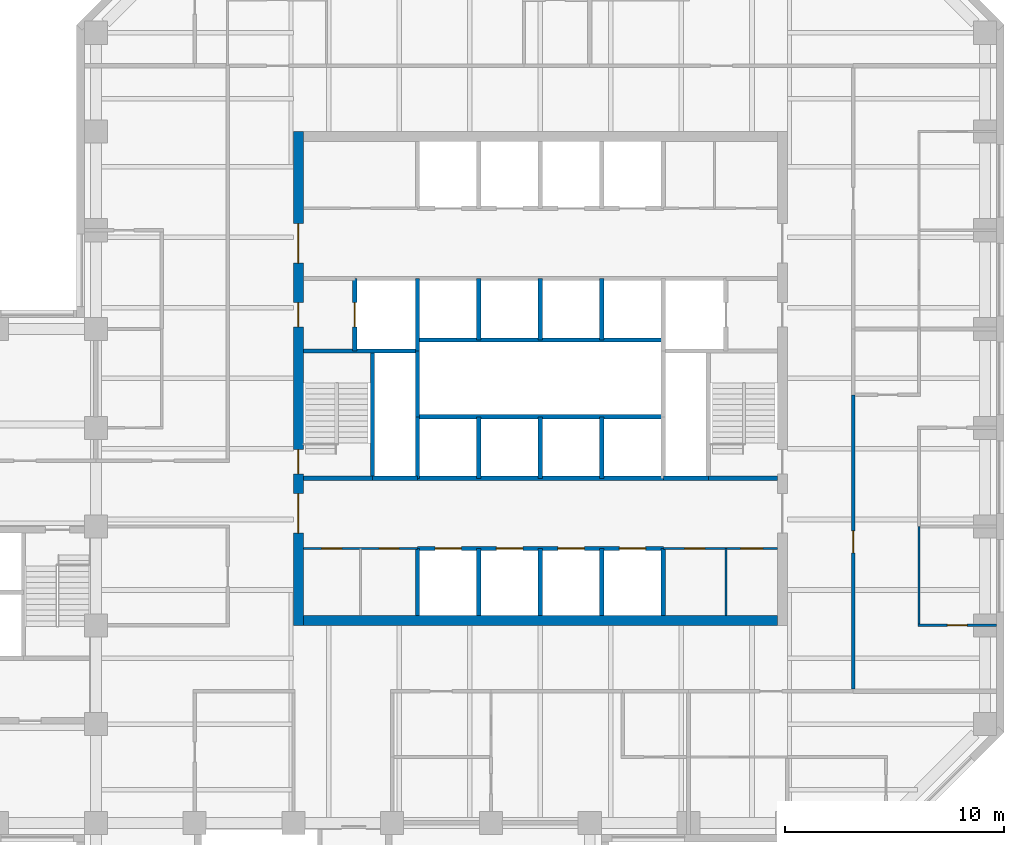
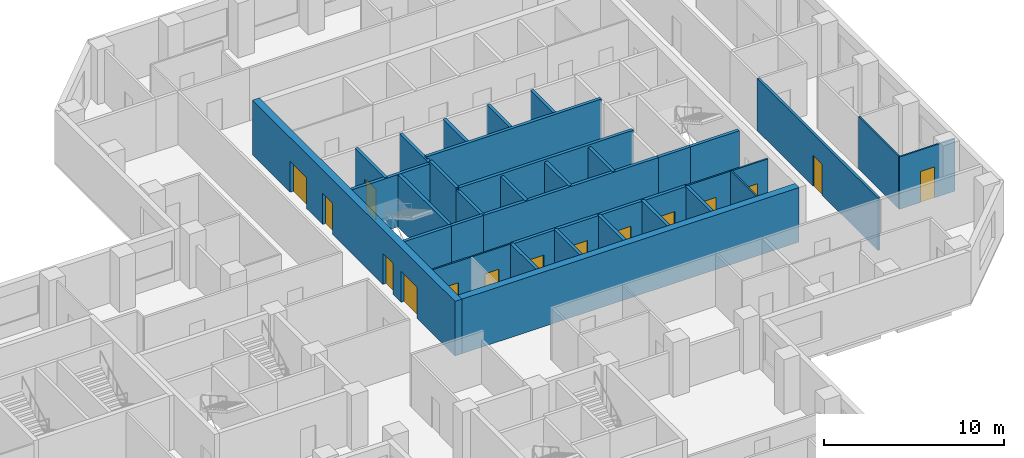
# One storey, part 7 of 11: 33 walls, 15 doors, 15 openings.
"""IFC4 building model written with IfcOpenShell, lengths in metres."""

from ifc_helpers import new_model, si_unit, direction, frame, frame_2d, origin, place, context, subcontext, project, spatial, rectangle, extrude, material, layer, layer_set, type_object, element, fill, save


model = new_model("IFC4")

# Units and contexts
model_context = context("Model", 3, precision=1e-05, world=origin(), true_north=direction((0.0, 1.0)))
body_context = subcontext(model_context, "Body", "Model", "MODEL_VIEW")
ifc_project = project(units=[si_unit("LENGTHUNIT", "METRE"), si_unit("AREAUNIT", "SQUARE_METRE"), si_unit("VOLUMEUNIT", "CUBIC_METRE"), si_unit("PLANEANGLEUNIT", "RADIAN"), si_unit("MASSUNIT", "GRAM", prefix="KILO")], contexts=[model_context])

# Site, building, storey
site_placement = place(None, origin())
site = spatial("IfcSite", under=ifc_project, at=site_placement, CompositionType="ELEMENT")
building_placement = place(site_placement, origin())
building = spatial("IfcBuilding", under=site, at=building_placement, Name="Quoin Convention Tower", CompositionType="ELEMENT")
storey_placement = place(building_placement, frame((0.0, 0.0, 134.39990234375)))
storey = spatial("IfcBuildingStorey", under=building, at=storey_placement, Name="L35", CompositionType="ELEMENT", Elevation=134.39990234375)

# Wall, openings, doors
ifc_material_1 = material(Name="Plasterboard")
ifc_layer_1 = layer(ifc_material_1, 0.012451171875, Name="Finish")
ifc_material_2 = material(Name="Steel stud framing", Category="steel")
ifc_layer_2 = layer(ifc_material_2, 0.074951171875, Name="Structure")
ifc_layer_3 = layer(ifc_material_1, 0.012451171875, Name="Finish")
ifc_layer_set_1 = layer_set([ifc_layer_1, ifc_layer_2, ifc_layer_3], Name="Steel stud framing")
wall_type_1 = type_object("IfcWallType", Name="Core partition wall", PredefinedType="PARTITIONING", material=ifc_layer_set_1)
wall_1_placement = place(storey_placement, frame((45.449951171875, 53.0, 0.0), z_axis=(0.0, 0.0, 1.0), x_axis=(1.0, 0.0, 0.0)))
wall_1 = element("IfcWall", 1, at=wall_1_placement, inside=storey, type_object=wall_type_1, Name="cr-C1-L35-h3500_450", PredefinedType="PARTITIONING", context=body_context, shape_type="SweptSolid", body=[
    extrude(rectangle(XDim=5.199951171875, YDim=0.10009765625, at=frame_2d((2.60009765625, 0.0))), origin(), (0.0, 0.0, 1.0), 3.550048828125),
])
opening_1_placement = place(wall_1_placement, frame((0.85009765625, 0.0, 0.0)))
opening_1 = element("IfcOpeningElement", 2, at=opening_1_placement, cuts=wall_1, Name="Opening DCV0-47", PredefinedType="OPENING", context=body_context, shape_type="SweptSolid", body=[
    extrude(rectangle(XDim=0.89990234375, YDim=2.10009765625, at=frame_2d((0.449951171875, 1.050048828125))), frame((0.0, 0.06005859375, 0.0), z_axis=(0.0, -1.0, 0.0), x_axis=(1.0, 0.0, 0.0)), (0.0, 0.0, 1.0), 0.1201171875),
])
opening_2_placement = place(wall_1_placement, frame((3.449951171875, 0.0, 0.0)))
opening_2 = element("IfcOpeningElement", 3, at=opening_2_placement, cuts=wall_1, Name="Opening DCV0-48", PredefinedType="OPENING", context=body_context, shape_type="SweptSolid", body=[
    extrude(rectangle(XDim=0.89990234375, YDim=2.10009765625, at=frame_2d((0.449951171875, 1.050048828125))), frame((0.0, 0.06005859375, 0.0), z_axis=(0.0, -1.0, 0.0), x_axis=(1.0, 0.0, 0.0)), (0.0, 0.0, 1.0), 0.1201171875),
])
ifc_material_3 = material(Name="Steel door leaf", Category="steel")
door_type_1 = type_object("IfcDoorType", Name="Core room door 900 x 2100", OperationType="SINGLE_SWING_LEFT", PredefinedType="DOOR", material=ifc_material_3)
door_1_placement = place(opening_1_placement, frame((0.89990234375, 0.0, 0.0), z_axis=(0.0, 0.0, 1.0), x_axis=(-1.0, 0.0, 0.0)))
door_1 = element("IfcDoor", 4, at=door_1_placement, inside=storey, type_object=door_type_1, Name="cd-C1-L35-CSW0-lobA-CD3512", OperationType="SINGLE_SWING_LEFT", OverallHeight=2.10009765625, OverallWidth=0.89990234375, PredefinedType="DOOR", context=body_context, shape_type="SweptSolid", body=[
    extrude(rectangle(XDim=0.89990234375, YDim=2.10009765625, at=frame_2d((0.449951171875, 1.050048828125))), frame((0.0, 0.02490234375, 0.0), z_axis=(0.0, -1.0, 0.0), x_axis=(1.0, 0.0, 0.0)), (0.0, 0.0, 1.0), 0.050048828125),
])
fill(opening_1, door_1)
door_2_placement = place(opening_2_placement, frame((0.89990234375, 0.0, 0.0), z_axis=(0.0, 0.0, 1.0), x_axis=(-1.0, 0.0, 0.0)))
door_2 = element("IfcDoor", 5, at=door_2_placement, inside=storey, type_object=door_type_1, Name="cd-C1-L35-CSW1-lobA-CD3513", OperationType="SINGLE_SWING_LEFT", OverallHeight=2.10009765625, OverallWidth=0.89990234375, PredefinedType="DOOR", context=body_context, shape_type="SweptSolid", body=[
    extrude(rectangle(XDim=0.89990234375, YDim=2.10009765625, at=frame_2d((0.449951171875, 1.050048828125))), frame((0.0, 0.02490234375, 0.0), z_axis=(0.0, -1.0, 0.0), x_axis=(1.0, 0.0, 0.0)), (0.0, 0.0, 1.0), 0.050048828125),
])
fill(opening_2, door_2)

wall_2_placement = place(storey_placement, frame((61.85009765625, 53.0, 0.0), z_axis=(0.0, 0.0, 1.0), x_axis=(1.0, 0.0, 0.0)))
wall_2 = element("IfcWall", 6, at=wall_2_placement, inside=storey, type_object=wall_type_1, Name="cr-C1-L35-h3500_16850", PredefinedType="PARTITIONING", context=body_context, shape_type="SweptSolid", body=[
    extrude(rectangle(XDim=5.199951171875, YDim=0.10009765625, at=frame_2d((2.60009765625, 0.0))), origin(), (0.0, 0.0, 1.0), 3.550048828125),
])
opening_3_placement = place(wall_2_placement, frame((3.530029296875, 0.0, 0.0)))
opening_3 = element("IfcOpeningElement", 7, at=opening_3_placement, cuts=wall_2, Name="Opening DCV0-31", PredefinedType="OPENING", context=body_context, shape_type="SweptSolid", body=[
    extrude(rectangle(XDim=1.0, YDim=2.10009765625, at=frame_2d((0.5, 1.050048828125))), frame((0.0, 0.06005859375, 0.0), z_axis=(0.0, -1.0, 0.0), x_axis=(1.0, 0.0, 0.0)), (0.0, 0.0, 1.0), 0.1201171875),
])
opening_4_placement = place(wall_2_placement, frame((0.97998046875, 0.0, 0.0)))
opening_4 = element("IfcOpeningElement", 8, at=opening_4_placement, cuts=wall_2, Name="Opening DCV0-28", PredefinedType="OPENING", context=body_context, shape_type="SweptSolid", body=[
    extrude(rectangle(XDim=0.89990234375, YDim=2.10009765625, at=frame_2d((0.449951171875, 1.050048828125))), frame((0.0, 0.06005859375, 0.0), z_axis=(0.0, -1.0, 0.0), x_axis=(1.0, 0.0, 0.0)), (0.0, 0.0, 1.0), 0.1201171875),
])
door_type_2 = type_object("IfcDoorType", Name="Core room door 1000 x 2100", OperationType="SINGLE_SWING_LEFT", PredefinedType="DOOR", material=ifc_material_3)
door_3_placement = place(opening_3_placement, frame((1.0, 0.0, 0.0), z_axis=(0.0, 0.0, 1.0), x_axis=(-1.0, 0.0, 0.0)))
door_3 = element("IfcDoor", 9, at=door_3_placement, inside=storey, type_object=door_type_2, Name="cd-C1-L35-CSE0-lobA-CD3510", OperationType="SINGLE_SWING_LEFT", OverallHeight=2.10009765625, OverallWidth=1.0, PredefinedType="DOOR", context=body_context, shape_type="SweptSolid", body=[
    extrude(rectangle(XDim=1.0, YDim=2.10009765625, at=frame_2d((0.5, 1.050048828125))), frame((0.0, 0.02490234375, 0.0), z_axis=(0.0, -1.0, 0.0), x_axis=(1.0, 0.0, 0.0)), (0.0, 0.0, 1.0), 0.050048828125),
])
fill(opening_3, door_3)
door_4_placement = place(opening_4_placement, frame((0.89990234375, 0.0, 0.0), z_axis=(0.0, 0.0, 1.0), x_axis=(-1.0, 0.0, 0.0)))
door_4 = element("IfcDoor", 10, at=door_4_placement, inside=storey, type_object=door_type_1, Name="cd-C1-L35-CSE1-lobA-CD3511", OperationType="SINGLE_SWING_LEFT", OverallHeight=2.10009765625, OverallWidth=0.89990234375, PredefinedType="DOOR", context=body_context, shape_type="SweptSolid", body=[
    extrude(rectangle(XDim=0.89990234375, YDim=2.10009765625, at=frame_2d((0.449951171875, 1.050048828125))), frame((0.0, 0.02490234375, 0.0), z_axis=(0.0, -1.0, 0.0), x_axis=(1.0, 0.0, 0.0)), (0.0, 0.0, 1.0), 0.050048828125),
])
fill(opening_4, door_4)

# Wall
wall_3_placement = place(storey_placement, frame((64.7099609375, 49.949951171875, 0.0), z_axis=(0.0, 0.0, 1.0), x_axis=(0.0, 1.0, 0.0)))
element("IfcWall", 11, at=wall_3_placement, inside=storey, type_object=wall_type_1, Name="cr-C1-L35-v19710_450", PredefinedType="PARTITIONING", context=body_context, shape_type="SweptSolid", body=[
    extrude(rectangle(XDim=3.050048828125, YDim=0.10009765625, at=frame_2d((1.52490234375, 0.0))), origin(), (0.0, 0.0, 1.0), 3.550048828125),
])

# Wall, openings, doors
ifc_material_4 = material(Name="Concrete C50", Category="concrete")
ifc_layer_4 = layer(ifc_material_4, 0.199951171875)
ifc_layer_set_2 = layer_set([ifc_layer_4], Name="Concrete C50")
wall_type_2 = type_object("IfcWallType", Name="Core shaft wall", PredefinedType="SOLIDWALL", material=ifc_layer_set_2)
wall_4_placement = place(storey_placement, frame((50.64990234375, 53.0, 0.0), z_axis=(0.0, 0.0, 1.0), x_axis=(1.0, 0.0, 0.0)))
wall_4 = element("IfcWall", 12, at=wall_4_placement, inside=storey, type_object=wall_type_2, Name="cr-C1-L35-h3500_5650", PredefinedType="SOLIDWALL", context=body_context, shape_type="SweptSolid", body=[
    extrude(rectangle(XDim=11.2001953125, YDim=0.199951171875, at=frame_2d((5.60009765625, 0.0))), origin(), (0.0, 0.0, 1.0), 3.550048828125),
])
opening_5_placement = place(wall_4_placement, frame((0.800048828125, 0.0, 0.0)))
opening_5 = element("IfcOpeningElement", 13, at=opening_5_placement, cuts=wall_4, Name="Opening LDL1", PredefinedType="OPENING", context=body_context, shape_type="SweptSolid", body=[
    extrude(rectangle(XDim=1.199951171875, YDim=2.10009765625, at=frame_2d((0.60009765625, 1.050048828125))), frame((0.0, 0.10986328125, 0.0), z_axis=(0.0, -1.0, 0.0), x_axis=(1.0, 0.0, 0.0)), (0.0, 0.0, 1.0), 0.219970703125),
])
opening_6_placement = place(wall_4_placement, frame((3.60009765625, 0.0, 0.0)))
opening_6 = element("IfcOpeningElement", 14, at=opening_6_placement, cuts=wall_4, Name="Opening LDL2", PredefinedType="OPENING", context=body_context, shape_type="SweptSolid", body=[
    extrude(rectangle(XDim=1.199951171875, YDim=2.10009765625, at=frame_2d((0.60009765625, 1.050048828125))), frame((0.0, 0.10986328125, 0.0), z_axis=(0.0, -1.0, 0.0), x_axis=(1.0, 0.0, 0.0)), (0.0, 0.0, 1.0), 0.219970703125),
])
opening_7_placement = place(wall_4_placement, frame((6.39990234375, 0.0, 0.0)))
opening_7 = element("IfcOpeningElement", 15, at=opening_7_placement, cuts=wall_4, Name="Opening LDL3", PredefinedType="OPENING", context=body_context, shape_type="SweptSolid", body=[
    extrude(rectangle(XDim=1.199951171875, YDim=2.10009765625, at=frame_2d((0.60009765625, 1.050048828125))), frame((0.0, 0.10986328125, 0.0), z_axis=(0.0, -1.0, 0.0), x_axis=(1.0, 0.0, 0.0)), (0.0, 0.0, 1.0), 0.219970703125),
])
opening_8_placement = place(wall_4_placement, frame((9.199951171875, 0.0, 0.0)))
opening_8 = element("IfcOpeningElement", 16, at=opening_8_placement, cuts=wall_4, Name="Opening LDL4", PredefinedType="OPENING", context=body_context, shape_type="SweptSolid", body=[
    extrude(rectangle(XDim=1.199951171875, YDim=2.10009765625, at=frame_2d((0.60009765625, 1.050048828125))), frame((0.0, 0.10986328125, 0.0), z_axis=(0.0, -1.0, 0.0), x_axis=(1.0, 0.0, 0.0)), (0.0, 0.0, 1.0), 0.219970703125),
])
door_type_3 = type_object("IfcDoorType", Name="Lift landing door 1200 x 2100", OperationType="DOUBLE_DOOR_SLIDING", PredefinedType="DOOR", material=ifc_material_3)
door_5_placement = place(opening_5_placement, origin())
door_5 = element("IfcDoor", 17, at=door_5_placement, inside=storey, type_object=door_type_3, Name="cd-C1-L35-R10-lobA-LDL1", OperationType="DOUBLE_DOOR_SLIDING", OverallHeight=2.10009765625, OverallWidth=1.199951171875, PredefinedType="DOOR", context=body_context, shape_type="SweptSolid", body=[
    extrude(rectangle(XDim=1.199951171875, YDim=2.10009765625, at=frame_2d((0.60009765625, 1.050048828125))), frame((0.0, 0.02490234375, 0.0), z_axis=(0.0, -1.0, 0.0), x_axis=(1.0, 0.0, 0.0)), (0.0, 0.0, 1.0), 0.050048828125),
])
fill(opening_5, door_5)
door_6_placement = place(opening_6_placement, origin())
door_6 = element("IfcDoor", 18, at=door_6_placement, inside=storey, type_object=door_type_3, Name="cd-C1-L35-R11-lobA-LDL2", OperationType="DOUBLE_DOOR_SLIDING", OverallHeight=2.10009765625, OverallWidth=1.199951171875, PredefinedType="DOOR", context=body_context, shape_type="SweptSolid", body=[
    extrude(rectangle(XDim=1.199951171875, YDim=2.10009765625, at=frame_2d((0.60009765625, 1.050048828125))), frame((0.0, 0.02490234375, 0.0), z_axis=(0.0, -1.0, 0.0), x_axis=(1.0, 0.0, 0.0)), (0.0, 0.0, 1.0), 0.050048828125),
])
fill(opening_6, door_6)
door_7_placement = place(opening_7_placement, origin())
door_7 = element("IfcDoor", 19, at=door_7_placement, inside=storey, type_object=door_type_3, Name="cd-C1-L35-R12-lobA-LDL3", OperationType="DOUBLE_DOOR_SLIDING", OverallHeight=2.10009765625, OverallWidth=1.199951171875, PredefinedType="DOOR", context=body_context, shape_type="SweptSolid", body=[
    extrude(rectangle(XDim=1.199951171875, YDim=2.10009765625, at=frame_2d((0.60009765625, 1.050048828125))), frame((0.0, 0.02490234375, 0.0), z_axis=(0.0, -1.0, 0.0), x_axis=(1.0, 0.0, 0.0)), (0.0, 0.0, 1.0), 0.050048828125),
])
fill(opening_7, door_7)
door_8_placement = place(opening_8_placement, origin())
door_8 = element("IfcDoor", 20, at=door_8_placement, inside=storey, type_object=door_type_3, Name="cd-C1-L35-R13-lobA-LDL4", OperationType="DOUBLE_DOOR_SLIDING", OverallHeight=2.10009765625, OverallWidth=1.199951171875, PredefinedType="DOOR", context=body_context, shape_type="SweptSolid", body=[
    extrude(rectangle(XDim=1.199951171875, YDim=2.10009765625, at=frame_2d((0.60009765625, 1.050048828125))), frame((0.0, 0.02490234375, 0.0), z_axis=(0.0, -1.0, 0.0), x_axis=(1.0, 0.0, 0.0)), (0.0, 0.0, 1.0), 0.050048828125),
])
fill(opening_8, door_8)

# Walls
for number, where, z_axis, x_axis, name in (
    (21, (48.60009765625, 56.199951171875, 0.0), (0.0, 0.0, 1.0), (1.0, 0.0, 0.0), "cr-C1-L35-h6700_3600"),
    (22, (61.85009765625, 56.199951171875, 0.0), (0.0, 0.0, 1.0), (1.0, 0.0, 0.0), "cr-C1-L35-h6700_16850"),
):
    element("IfcWall", number, at=place(storey_placement, frame(where, z_axis=z_axis, x_axis=x_axis)), inside=storey, type_object=wall_type_2, Name=name, PredefinedType="SOLIDWALL", context=body_context, shape_type="SweptSolid", body=[
        extrude(rectangle(XDim=2.0498046875, YDim=0.199951171875, at=frame_2d((1.02490234375, 0.0))), origin(), (0.0, 0.0, 1.0), 3.550048828125),
    ])
wall_5_placement = place(storey_placement, frame((45.449951171875, 56.199951171875, 0.0), z_axis=(0.0, 0.0, 1.0), x_axis=(1.0, 0.0, 0.0)))
element("IfcWall", 23, at=wall_5_placement, inside=storey, type_object=wall_type_2, Name="cr-C1-L35-h6700_450", PredefinedType="SOLIDWALL", context=body_context, shape_type="SweptSolid", body=[
    extrude(rectangle(XDim=3.150146484375, YDim=0.199951171875, at=frame_2d((1.5751953125, 0.0))), origin(), (0.0, 0.0, 1.0), 3.550048828125),
])
wall_6_placement = place(storey_placement, frame((50.64990234375, 56.199951171875, 0.0), z_axis=(0.0, 0.0, 1.0), x_axis=(1.0, 0.0, 0.0)))
element("IfcWall", 24, at=wall_6_placement, inside=storey, type_object=wall_type_2, Name="cr-C1-L35-h6700_5650", PredefinedType="SOLIDWALL", context=body_context, shape_type="SweptSolid", body=[
    extrude(rectangle(XDim=11.2001953125, YDim=0.199951171875, at=frame_2d((5.60009765625, 0.0))), origin(), (0.0, 0.0, 1.0), 3.550048828125),
])
wall_7_placement = place(storey_placement, frame((63.89990234375, 56.199951171875, 0.0), z_axis=(0.0, 0.0, 1.0), x_axis=(1.0, 0.0, 0.0)))
element("IfcWall", 25, at=wall_7_placement, inside=storey, type_object=wall_type_2, Name="cr-C1-L35-h6700_18900", PredefinedType="SOLIDWALL", context=body_context, shape_type="SweptSolid", body=[
    extrude(rectangle(XDim=3.150146484375, YDim=0.199951171875, at=frame_2d((1.5751953125, 0.0))), origin(), (0.0, 0.0, 1.0), 3.550048828125),
])
wall_8_placement = place(storey_placement, frame((45.449951171875, 62.0, 0.0), z_axis=(0.0, 0.0, 1.0), x_axis=(1.0, 0.0, 0.0)))
element("IfcWall", 26, at=wall_8_placement, inside=storey, type_object=wall_type_2, Name="cr-C1-L35-h12500_450", PredefinedType="SOLIDWALL", context=body_context, shape_type="SweptSolid", body=[
    extrude(rectangle(XDim=5.199951171875, YDim=0.199951171875, at=frame_2d((2.60009765625, 0.0))), origin(), (0.0, 0.0, 1.0), 3.550048828125),
])

# Wall, opening, door
wall_9_placement = place(storey_placement, frame((47.800048828125, 62.0, 0.0), z_axis=(0.0, 0.0, 1.0), x_axis=(0.0, 1.0, 0.0)))
wall_9 = element("IfcWall", 27, at=wall_9_placement, inside=storey, type_object=wall_type_2, Name="cr-C1-L35-v2800_12500", PredefinedType="SOLIDWALL", context=body_context, shape_type="SweptSolid", body=[
    extrude(rectangle(XDim=3.300048828125, YDim=0.199951171875, at=frame_2d((1.64990234375, 0.0))), origin(), (0.0, 0.0, 1.0), 3.550048828125),
])
opening_9_placement = place(wall_9_placement, frame((1.10009765625, 0.0, 0.0)))
opening_9 = element("IfcOpeningElement", 28, at=opening_9_placement, cuts=wall_9, Name="Opening LDFL1", PredefinedType="OPENING", context=body_context, shape_type="SweptSolid", body=[
    extrude(rectangle(XDim=1.10009765625, YDim=2.10009765625, at=frame_2d((0.550048828125, 1.050048828125))), frame((0.0, 0.10986328125, 0.0), z_axis=(0.0, -1.0, 0.0), x_axis=(1.0, 0.0, 0.0)), (0.0, 0.0, 1.0), 0.219970703125),
])
door_type_4 = type_object("IfcDoorType", Name="Lift landing door 1100 x 2100", OperationType="DOUBLE_DOOR_SLIDING", PredefinedType="DOOR", material=ifc_material_3)
door_9_placement = place(opening_9_placement, origin())
door_9 = element("IfcDoor", 29, at=door_9_placement, inside=storey, type_object=door_type_4, Name="cd-C1-L35-FLW-FFW-LDFL1", OperationType="DOUBLE_DOOR_SLIDING", OverallHeight=2.10009765625, OverallWidth=1.10009765625, PredefinedType="DOOR", context=body_context, shape_type="SweptSolid", body=[
    extrude(rectangle(XDim=1.10009765625, YDim=2.10009765625, at=frame_2d((0.550048828125, 1.050048828125))), frame((0.0, 0.02490234375, 0.0), z_axis=(0.0, -1.0, 0.0), x_axis=(1.0, 0.0, 0.0)), (0.0, 0.0, 1.0), 0.050048828125),
])
fill(opening_9, door_9)

# Walls
wall_10_placement = place(storey_placement, frame((48.60009765625, 56.199951171875, 0.0), z_axis=(0.0, 0.0, 1.0), x_axis=(0.0, 1.0, 0.0)))
element("IfcWall", 30, at=wall_10_placement, inside=storey, type_object=wall_type_2, Name="cr-C1-L35-v3600_6700", PredefinedType="SOLIDWALL", context=body_context, shape_type="SweptSolid", body=[
    extrude(rectangle(XDim=5.800048828125, YDim=0.199951171875, at=frame_2d((2.89990234375, 0.0))), origin(), (0.0, 0.0, 1.0), 3.550048828125),
])
wall_11_placement = place(storey_placement, frame((50.64990234375, 49.949951171875, 0.0), z_axis=(0.0, 0.0, 1.0), x_axis=(0.0, 1.0, 0.0)))
element("IfcWall", 31, at=wall_11_placement, inside=storey, type_object=wall_type_2, Name="cr-C1-L35-v5650_450", PredefinedType="SOLIDWALL", context=body_context, shape_type="SweptSolid", body=[
    extrude(rectangle(XDim=3.050048828125, YDim=0.199951171875, at=frame_2d((1.52490234375, 0.0))), origin(), (0.0, 0.0, 1.0), 3.550048828125),
])
wall_12_placement = place(storey_placement, frame((50.64990234375, 56.199951171875, 0.0), z_axis=(0.0, 0.0, 1.0), x_axis=(0.0, 1.0, 0.0)))
element("IfcWall", 32, at=wall_12_placement, inside=storey, type_object=wall_type_2, Name="cr-C1-L35-v5650_6700", PredefinedType="SOLIDWALL", context=body_context, shape_type="SweptSolid", body=[
    extrude(rectangle(XDim=2.800048828125, YDim=0.199951171875, at=frame_2d((1.39990234375, 0.0))), origin(), (0.0, 0.0, 1.0), 3.550048828125),
])
wall_13_placement = place(storey_placement, frame((50.64990234375, 62.0, 0.0), z_axis=(0.0, 0.0, 1.0), x_axis=(0.0, 1.0, 0.0)))
element("IfcWall", 33, at=wall_13_placement, inside=storey, type_object=wall_type_2, Name="cr-C1-L35-v5650_12500", PredefinedType="SOLIDWALL", context=body_context, shape_type="SweptSolid", body=[
    extrude(rectangle(XDim=3.300048828125, YDim=0.199951171875, at=frame_2d((1.64990234375, 0.0))), origin(), (0.0, 0.0, 1.0), 3.550048828125),
])
wall_14_placement = place(storey_placement, frame((53.449951171875, 49.949951171875, 0.0), z_axis=(0.0, 0.0, 1.0), x_axis=(0.0, 1.0, 0.0)))
element("IfcWall", 34, at=wall_14_placement, inside=storey, type_object=wall_type_2, Name="cr-C1-L35-v8450_450", PredefinedType="SOLIDWALL", context=body_context, shape_type="SweptSolid", body=[
    extrude(rectangle(XDim=3.050048828125, YDim=0.199951171875, at=frame_2d((1.52490234375, 0.0))), origin(), (0.0, 0.0, 1.0), 3.550048828125),
])
for number, where, z_axis, x_axis, name in (
    (35, (53.449951171875, 56.199951171875, 0.0), (0.0, 0.0, 1.0), (0.0, 1.0, 0.0), "cr-C1-L35-v8450_6700"),
    (36, (53.449951171875, 62.5, 0.0), (0.0, 0.0, 1.0), (0.0, 1.0, 0.0), "cr-C1-L35-v8450_13000"),
):
    element("IfcWall", number, at=place(storey_placement, frame(where, z_axis=z_axis, x_axis=x_axis)), inside=storey, type_object=wall_type_2, Name=name, PredefinedType="SOLIDWALL", context=body_context, shape_type="SweptSolid", body=[
        extrude(rectangle(XDim=2.800048828125, YDim=0.199951171875, at=frame_2d((1.39990234375, 0.0))), origin(), (0.0, 0.0, 1.0), 3.550048828125),
    ])
wall_15_placement = place(storey_placement, frame((56.25, 49.949951171875, 0.0), z_axis=(0.0, 0.0, 1.0), x_axis=(0.0, 1.0, 0.0)))
element("IfcWall", 37, at=wall_15_placement, inside=storey, type_object=wall_type_2, Name="cr-C1-L35-v11250_450", PredefinedType="SOLIDWALL", context=body_context, shape_type="SweptSolid", body=[
    extrude(rectangle(XDim=3.050048828125, YDim=0.199951171875, at=frame_2d((1.52490234375, 0.0))), origin(), (0.0, 0.0, 1.0), 3.550048828125),
])
for number, where, z_axis, x_axis, name in (
    (38, (56.25, 56.199951171875, 0.0), (0.0, 0.0, 1.0), (0.0, 1.0, 0.0), "cr-C1-L35-v11250_6700"),
    (39, (56.25, 62.5, 0.0), (0.0, 0.0, 1.0), (0.0, 1.0, 0.0), "cr-C1-L35-v11250_13000"),
):
    element("IfcWall", number, at=place(storey_placement, frame(where, z_axis=z_axis, x_axis=x_axis)), inside=storey, type_object=wall_type_2, Name=name, PredefinedType="SOLIDWALL", context=body_context, shape_type="SweptSolid", body=[
        extrude(rectangle(XDim=2.800048828125, YDim=0.199951171875, at=frame_2d((1.39990234375, 0.0))), origin(), (0.0, 0.0, 1.0), 3.550048828125),
    ])
wall_16_placement = place(storey_placement, frame((59.050048828125, 49.949951171875, 0.0), z_axis=(0.0, 0.0, 1.0), x_axis=(0.0, 1.0, 0.0)))
element("IfcWall", 40, at=wall_16_placement, inside=storey, type_object=wall_type_2, Name="cr-C1-L35-v14050_450", PredefinedType="SOLIDWALL", context=body_context, shape_type="SweptSolid", body=[
    extrude(rectangle(XDim=3.050048828125, YDim=0.199951171875, at=frame_2d((1.52490234375, 0.0))), origin(), (0.0, 0.0, 1.0), 3.550048828125),
])
for number, where, z_axis, x_axis, name in (
    (41, (59.050048828125, 56.199951171875, 0.0), (0.0, 0.0, 1.0), (0.0, 1.0, 0.0), "cr-C1-L35-v14050_6700"),
    (42, (59.050048828125, 62.5, 0.0), (0.0, 0.0, 1.0), (0.0, 1.0, 0.0), "cr-C1-L35-v14050_13000"),
):
    element("IfcWall", number, at=place(storey_placement, frame(where, z_axis=z_axis, x_axis=x_axis)), inside=storey, type_object=wall_type_2, Name=name, PredefinedType="SOLIDWALL", context=body_context, shape_type="SweptSolid", body=[
        extrude(rectangle(XDim=2.800048828125, YDim=0.199951171875, at=frame_2d((1.39990234375, 0.0))), origin(), (0.0, 0.0, 1.0), 3.550048828125),
    ])
wall_17_placement = place(storey_placement, frame((61.85009765625, 49.949951171875, 0.0), z_axis=(0.0, 0.0, 1.0), x_axis=(0.0, 1.0, 0.0)))
element("IfcWall", 43, at=wall_17_placement, inside=storey, type_object=wall_type_2, Name="cr-C1-L35-v16850_450", PredefinedType="SOLIDWALL", context=body_context, shape_type="SweptSolid", body=[
    extrude(rectangle(XDim=3.050048828125, YDim=0.199951171875, at=frame_2d((1.52490234375, 0.0))), origin(), (0.0, 0.0, 1.0), 3.550048828125),
])
ifc_layer_5 = layer(ifc_material_4, 0.199951171875)
ifc_layer_set_3 = layer_set([ifc_layer_5], Name="Concrete C50")
wall_type_3 = type_object("IfcWallType", Name="Core shaft wall to the floor level over", PredefinedType="SOLIDWALL", material=ifc_layer_set_3)
for number, where, z_axis, x_axis, name in (
    (44, (50.64990234375, 59.0, 0.0), (0.0, 0.0, 1.0), (1.0, 0.0, 0.0), "cr-C1-L35-h9500_5650"),
    (45, (50.64990234375, 62.5, 0.0), (0.0, 0.0, 1.0), (1.0, 0.0, 0.0), "cr-C1-L35-h13000_5650"),
):
    element("IfcWall", number, at=place(storey_placement, frame(where, z_axis=z_axis, x_axis=x_axis)), inside=storey, type_object=wall_type_3, Name=name, PredefinedType="SOLIDWALL", context=body_context, shape_type="SweptSolid", body=[
        extrude(rectangle(XDim=11.2001953125, YDim=0.199951171875, at=frame_2d((5.60009765625, 0.0))), origin(), (0.0, 0.0, 1.0), 3.7001953125),
    ])
wall_18_placement = place(storey_placement, frame((50.64990234375, 59.0, 0.0), z_axis=(0.0, 0.0, 1.0), x_axis=(0.0, 1.0, 0.0)))
element("IfcWall", 46, at=wall_18_placement, inside=storey, type_object=wall_type_3, Name="cr-C1-L35-v5650_9500", PredefinedType="SOLIDWALL", context=body_context, shape_type="SweptSolid", body=[
    extrude(rectangle(XDim=3.0, YDim=0.199951171875, at=frame_2d((1.5, 0.0))), origin(), (0.0, 0.0, 1.0), 3.7001953125),
])

# Wall, opening, door
ifc_layer_6 = layer(ifc_material_1, 0.012451171875, Name="Finish")
ifc_layer_7 = layer(ifc_material_2, 0.125, Name="Structure")
ifc_layer_8 = layer(ifc_material_1, 0.012451171875, Name="Finish")
ifc_layer_set_4 = layer_set([ifc_layer_6, ifc_layer_7, ifc_layer_8], Name="Steel stud framing")
wall_type_4 = type_object("IfcWallType", Name="Corridor wall 150", PredefinedType="PARTITIONING", material=ifc_layer_set_4)
wall_19_placement = place(storey_placement, frame((70.5, 46.60009765625, 0.0), z_axis=(0.0, 0.0, 1.0), x_axis=(0.0, 1.0, 0.0)))
wall_19 = element("IfcWall", 47, at=wall_19_placement, inside=storey, type_object=wall_type_4, Name="pw-L35-083", PredefinedType="PARTITIONING", context=body_context, shape_type="SweptSolid", body=[
    extrude(rectangle(XDim=13.39990234375, YDim=0.14990234375, at=frame_2d((6.699951171875, 0.0))), origin(), (0.0, 0.0, 1.0), 3.550048828125),
])
opening_10_placement = place(wall_19_placement, frame((6.199951171875, 0.0, 0.0)))
opening_10 = element("IfcOpeningElement", 48, at=opening_10_placement, cuts=wall_19, Name="Opening DOL7-31", PredefinedType="OPENING", context=body_context, shape_type="SweptSolid", body=[
    extrude(rectangle(XDim=1.0, YDim=2.10009765625, at=frame_2d((0.5, 1.050048828125))), frame((0.0, 0.0849609375, 0.0), z_axis=(0.0, -1.0, 0.0), x_axis=(1.0, 0.0, 0.0)), (0.0, 0.0, 1.0), 0.169921875),
])
door_type_5 = type_object("IfcDoorType", Name="Tenancy entrance door 1000 x 2100", OperationType="DOUBLE_DOOR_SINGLE_SWING", PredefinedType="DOOR", material=ifc_material_3)
door_10_placement = place(opening_10_placement, frame((1.0, 0.0, 0.0), z_axis=(0.0, 0.0, 1.0), x_axis=(-1.0, 0.0, 0.0)))
door_10 = element("IfcDoor", 49, at=door_10_placement, inside=storey, type_object=door_type_5, Name="dr-L35-25", OperationType="DOUBLE_DOOR_SINGLE_SWING", OverallHeight=2.10009765625, OverallWidth=1.0, PredefinedType="DOOR", context=body_context, shape_type="SweptSolid", body=[
    extrude(rectangle(XDim=1.0, YDim=2.10009765625, at=frame_2d((0.5, 1.050048828125))), frame((0.0, 0.02490234375, 0.0), z_axis=(0.0, -1.0, 0.0), x_axis=(1.0, 0.0, 0.0)), (0.0, 0.0, 1.0), 0.050048828125),
])
fill(opening_10, door_10)

# Wall
ifc_material_5 = material(Name="Concrete C65", Category="concrete")
ifc_layer_9 = layer(ifc_material_5, 0.449951171875)
ifc_layer_set_5 = layer_set([ifc_layer_9], Name="Concrete C65")
wall_type_5 = type_object("IfcWallType", Name="RC CORE WALL 450 C65", PredefinedType="SHEAR", material=ifc_layer_set_5)
wall_20_placement = place(storey_placement, frame((45.449951171875, 49.72509765625, 0.0), z_axis=(0.0, 0.0, 1.0), x_axis=(1.0, 0.0, 0.0)))
element("IfcWall", 50, at=wall_20_placement, inside=storey, type_object=wall_type_5, Name="cwl-C1-L35-S", PredefinedType="SHEAR", context=body_context, shape_type="SweptSolid", body=[
    extrude(rectangle(XDim=21.60009765625, YDim=0.449951171875, at=frame_2d((10.800048828125, 0.0))), origin(), (0.0, 0.0, 1.0), 3.7001953125),
])

# Wall, openings, doors
wall_21_placement = place(storey_placement, frame((45.22509765625, 49.5, 0.0), z_axis=(0.0, 0.0, 1.0), x_axis=(0.0, 1.0, 0.0)))
wall_21 = element("IfcWall", 51, at=wall_21_placement, inside=storey, type_object=wall_type_5, Name="cwl-C1-L35-W", PredefinedType="SHEAR", context=body_context, shape_type="SweptSolid", body=[
    extrude(rectangle(XDim=22.5, YDim=0.449951171875, at=frame_2d((11.25, 0.0))), origin(), (0.0, 0.0, 1.0), 3.7001953125),
])
opening_11_placement = place(wall_21_placement, frame((4.199951171875, 0.0, 0.0)))
opening_11 = element("IfcOpeningElement", 52, at=opening_11_placement, cuts=wall_21, Name="Opening DCV0-59", PredefinedType="OPENING", context=body_context, shape_type="SweptSolid", body=[
    extrude(rectangle(XDim=1.800048828125, YDim=2.10009765625, at=frame_2d((0.89990234375, 1.050048828125))), frame((0.0, 0.23486328125, 0.0), z_axis=(0.0, -1.0, 0.0), x_axis=(1.0, 0.0, 0.0)), (0.0, 0.0, 1.0), 0.469970703125),
])
opening_12_placement = place(wall_21_placement, frame((6.89990234375, 0.0, 0.0)))
opening_12 = element("IfcOpeningElement", 53, at=opening_12_placement, cuts=wall_21, Name="Opening SD1", PredefinedType="OPENING", context=body_context, shape_type="SweptSolid", body=[
    extrude(rectangle(XDim=1.10009765625, YDim=2.10009765625, at=frame_2d((0.550048828125, 1.050048828125))), frame((0.0, 0.23486328125, 0.0), z_axis=(0.0, -1.0, 0.0), x_axis=(1.0, 0.0, 0.0)), (0.0, 0.0, 1.0), 0.469970703125),
])
opening_13_placement = place(wall_21_placement, frame((13.60009765625, 0.0, 0.0)))
opening_13 = element("IfcOpeningElement", 54, at=opening_13_placement, cuts=wall_21, Name="Opening DCV0-58", PredefinedType="OPENING", context=body_context, shape_type="SweptSolid", body=[
    extrude(rectangle(XDim=1.10009765625, YDim=2.10009765625, at=frame_2d((0.550048828125, 1.050048828125))), frame((0.0, 0.23486328125, 0.0), z_axis=(0.0, -1.0, 0.0), x_axis=(1.0, 0.0, 0.0)), (0.0, 0.0, 1.0), 0.469970703125),
])
opening_14_placement = place(wall_21_placement, frame((16.5, 0.0, 0.0)))
opening_14 = element("IfcOpeningElement", 55, at=opening_14_placement, cuts=wall_21, Name="Opening DCV0-59", PredefinedType="OPENING", context=body_context, shape_type="SweptSolid", body=[
    extrude(rectangle(XDim=1.800048828125, YDim=2.10009765625, at=frame_2d((0.89990234375, 1.050048828125))), frame((0.0, 0.23486328125, 0.0), z_axis=(0.0, -1.0, 0.0), x_axis=(1.0, 0.0, 0.0)), (0.0, 0.0, 1.0), 0.469970703125),
])
door_type_6 = type_object("IfcDoorType", Name="Fire-fighting lobby door 1100 x 2100", OperationType="SINGLE_SWING_LEFT", PredefinedType="DOOR", material=ifc_material_3)
door_11_placement = place(opening_13_placement, frame((1.10009765625, 0.0, 0.0), z_axis=(0.0, 0.0, 1.0), x_axis=(-1.0, 0.0, 0.0)))
door_11 = element("IfcDoor", 56, at=door_11_placement, inside=storey, type_object=door_type_6, Name="cd-C1-L35-FFW-W", OperationType="SINGLE_SWING_LEFT", OverallHeight=2.10009765625, OverallWidth=1.10009765625, PredefinedType="DOOR", context=body_context, shape_type="SweptSolid", body=[
    extrude(rectangle(XDim=1.10009765625, YDim=2.10009765625, at=frame_2d((0.550048828125, 1.050048828125))), frame((0.0, 0.02490234375, 0.0), z_axis=(0.0, -1.0, 0.0), x_axis=(1.0, 0.0, 0.0)), (0.0, 0.0, 1.0), 0.050048828125),
])
fill(opening_13, door_11)
door_type_7 = type_object("IfcDoorType", Name="Lift lobby door 1800 x 2100", OperationType="SINGLE_SWING_LEFT", PredefinedType="DOOR", material=ifc_material_3)
door_12_placement = place(opening_11_placement, frame((1.800048828125, 0.0, 0.0), z_axis=(0.0, 0.0, 1.0), x_axis=(-1.0, 0.0, 0.0)))
door_12 = element("IfcDoor", 57, at=door_12_placement, inside=storey, type_object=door_type_7, Name="cd-C1-L35-lobA-W", OperationType="SINGLE_SWING_LEFT", OverallHeight=2.10009765625, OverallWidth=1.800048828125, PredefinedType="DOOR", context=body_context, shape_type="SweptSolid", body=[
    extrude(rectangle(XDim=1.800048828125, YDim=2.10009765625, at=frame_2d((0.89990234375, 1.050048828125))), frame((0.0, 0.02490234375, 0.0), z_axis=(0.0, -1.0, 0.0), x_axis=(1.0, 0.0, 0.0)), (0.0, 0.0, 1.0), 0.050048828125),
])
fill(opening_11, door_12)
door_13_placement = place(opening_14_placement, frame((1.800048828125, 0.0, 0.0), z_axis=(0.0, 0.0, 1.0), x_axis=(-1.0, 0.0, 0.0)))
door_13 = element("IfcDoor", 58, at=door_13_placement, inside=storey, type_object=door_type_7, Name="cd-C1-L35-lobB-W", OperationType="SINGLE_SWING_LEFT", OverallHeight=2.10009765625, OverallWidth=1.800048828125, PredefinedType="DOOR", context=body_context, shape_type="SweptSolid", body=[
    extrude(rectangle(XDim=1.800048828125, YDim=2.10009765625, at=frame_2d((0.89990234375, 1.050048828125))), frame((0.0, 0.02490234375, 0.0), z_axis=(0.0, -1.0, 0.0), x_axis=(1.0, 0.0, 0.0)), (0.0, 0.0, 1.0), 0.050048828125),
])
fill(opening_14, door_13)
door_type_8 = type_object("IfcDoorType", Name="Stair door 1100 x 2100", OperationType="SINGLE_SWING_RIGHT", PredefinedType="DOOR", material=ifc_material_3)
door_14_placement = place(opening_12_placement, frame((1.10009765625, 0.0, 0.0), z_axis=(0.0, 0.0, 1.0), x_axis=(-1.0, 0.0, 0.0)))
door_14 = element("IfcDoor", 59, at=door_14_placement, inside=storey, type_object=door_type_8, Name="cd-C1-L35-STW-W", OperationType="SINGLE_SWING_RIGHT", OverallHeight=2.10009765625, OverallWidth=1.10009765625, PredefinedType="DOOR", context=body_context, shape_type="SweptSolid", body=[
    extrude(rectangle(XDim=1.10009765625, YDim=2.10009765625, at=frame_2d((0.550048828125, 1.050048828125))), frame((0.0, 0.02490234375, 0.0), z_axis=(0.0, -1.0, 0.0), x_axis=(1.0, 0.0, 0.0)), (0.0, 0.0, 1.0), 0.050048828125),
])
fill(opening_12, door_14)

# Wall, opening, door
ifc_layer_10 = layer(ifc_material_1, 0.012451171875, Name="Finish")
ifc_layer_11 = layer(ifc_material_2, 0.074951171875, Name="Structure")
ifc_layer_12 = layer(ifc_material_1, 0.012451171875, Name="Finish")
ifc_layer_set_6 = layer_set([ifc_layer_10, ifc_layer_11, ifc_layer_12], Name="Steel stud framing")
wall_type_6 = type_object("IfcWallType", Name="Stud partition 100", PredefinedType="PARTITIONING", material=ifc_layer_set_6)
wall_22_placement = place(storey_placement, frame((73.449951171875, 49.5, 0.0), z_axis=(0.0, 0.0, 1.0), x_axis=(1.0, 0.0, 0.0)))
wall_22 = element("IfcWall", 60, at=wall_22_placement, inside=storey, type_object=wall_type_6, Name="pw-L35-032", PredefinedType="PARTITIONING", context=body_context, shape_type="SweptSolid", body=[
    extrude(rectangle(XDim=3.574951171875, YDim=0.10009765625, at=frame_2d((1.78759765625, 0.0))), origin(), (0.0, 0.0, 1.0), 3.550048828125),
])
opening_15_placement = place(wall_22_placement, frame((1.35009765625, 0.0, 0.0)))
opening_15 = element("IfcOpeningElement", 61, at=opening_15_placement, cuts=wall_22, Name="Opening DOL7-13", PredefinedType="OPENING", context=body_context, shape_type="SweptSolid", body=[
    extrude(rectangle(XDim=0.89990234375, YDim=2.10009765625, at=frame_2d((0.449951171875, 1.050048828125))), frame((0.0, 0.06005859375, 0.0), z_axis=(0.0, -1.0, 0.0), x_axis=(1.0, 0.0, 0.0)), (0.0, 0.0, 1.0), 0.1201171875),
])
door_type_9 = type_object("IfcDoorType", Name="Office door 900 x 2100", OperationType="SINGLE_SWING_RIGHT", PredefinedType="DOOR", material=ifc_material_3)
door_15_placement = place(opening_15_placement, frame((0.89990234375, 0.0, 0.0), z_axis=(0.0, 0.0, 1.0), x_axis=(-1.0, 0.0, 0.0)))
door_15 = element("IfcDoor", 62, at=door_15_placement, inside=storey, type_object=door_type_9, Name="dr-L35-26", OperationType="SINGLE_SWING_LEFT", OverallHeight=2.10009765625, OverallWidth=0.89990234375, PredefinedType="DOOR", context=body_context, shape_type="SweptSolid", body=[
    extrude(rectangle(XDim=0.89990234375, YDim=2.10009765625, at=frame_2d((0.449951171875, 1.050048828125))), frame((0.0, 0.02490234375, 0.0), z_axis=(0.0, -1.0, 0.0), x_axis=(1.0, 0.0, 0.0)), (0.0, 0.0, 1.0), 0.050048828125),
])
fill(opening_15, door_15)

# Wall
wall_23_placement = place(storey_placement, frame((73.5, 49.550048828125, 0.0), z_axis=(0.0, 0.0, 1.0), x_axis=(0.0, 1.0, 0.0)))
element("IfcWall", 63, at=wall_23_placement, inside=storey, type_object=wall_type_6, Name="pw-L35-085", PredefinedType="PARTITIONING", context=body_context, shape_type="SweptSolid", body=[
    extrude(rectangle(XDim=4.449951171875, YDim=0.10009765625, at=frame_2d((2.22509765625, 0.0))), origin(), (0.0, 0.0, 1.0), 3.550048828125),
])

save(model, "model.ifc")
